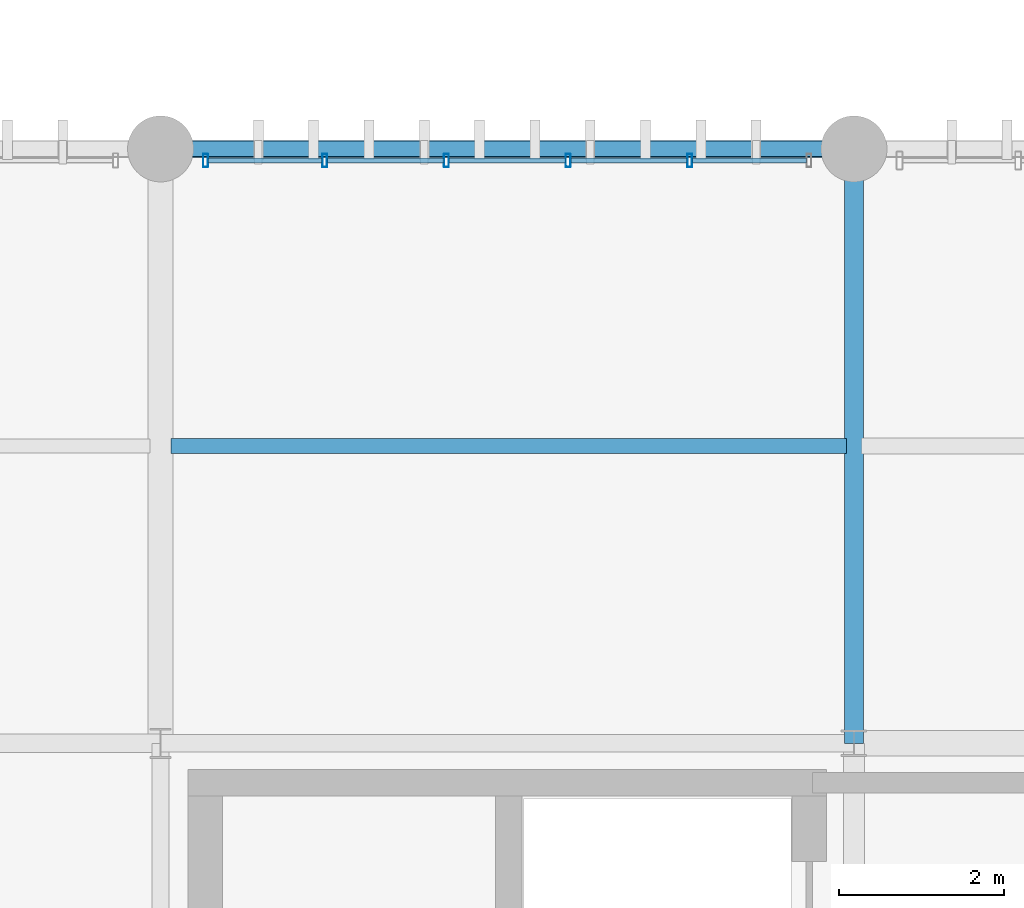
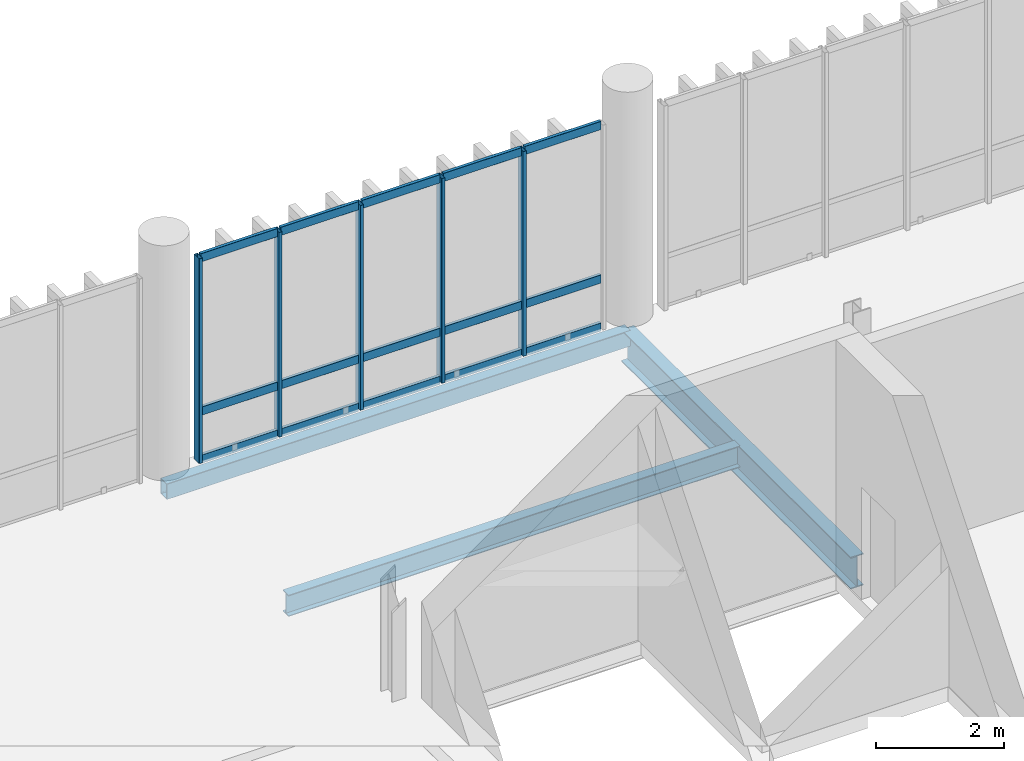
# One storey, part 24 of 68: 20 members, 3 beams, 1 element without a shape of its own.
"""IFC4 building model written with IfcOpenShell, lengths in metres."""

from ifc_helpers import new_model, si_unit, direction, frame, origin_with_axes, origin_2d_with_axis, place, context, subcontext, project, spatial, hollow_rectangle, i_section, extrude, material, material_profile, profile_set, type_object, element, aggregate, save


model = new_model("IFC4")

# Units and contexts
model_context = context("Model", 3, precision=1e-05, world=origin_with_axes(), true_north=direction((0.0, 1.0)))
body_context = subcontext(model_context, "Body", "Model", "MODEL_VIEW")
ifc_project = project(units=[si_unit("LENGTHUNIT", "METRE"), si_unit("AREAUNIT", "SQUARE_METRE"), si_unit("VOLUMEUNIT", "CUBIC_METRE"), si_unit("PLANEANGLEUNIT", "RADIAN"), si_unit("MASSUNIT", "GRAM", prefix="KILO"), si_unit("THERMODYNAMICTEMPERATUREUNIT", "KELVIN")], contexts=[model_context])

# Site, building, storey
site_placement = place(None, origin_with_axes())
site = spatial("IfcSite", under=ifc_project, at=site_placement, CompositionType="ELEMENT")
building_placement = place(site_placement, origin_with_axes())
building = spatial("IfcBuilding", under=site, at=building_placement, Name="Montbau Bow Law Courts", CompositionType="ELEMENT")
storey_placement = place(building_placement, frame((0.0, 0.0, 20.4), z_axis=(0.0, 0.0, 1.0), x_axis=(1.0, 0.0, 0.0)))
storey = spatial("IfcBuildingStorey", under=building, at=storey_placement, Name="L04", CompositionType="ELEMENT", Elevation=20.4)

# Beams
ifc_material_1 = material(Name="Steel CSA G40.21 Grade 350W (350 MPa)", Category="steel")
ifc_material_profile_1 = material_profile(ifc_material_1, i_section(OverallWidth=0.229, OverallDepth=0.612, WebThickness=0.0119, FlangeThickness=0.0196, at=origin_2d_with_axis()), Name="W610X125", Category="Main", Priority=0)
ifc_profile_set_1 = profile_set([ifc_material_profile_1], Name="Steel CSA G40.21 Grade 350W (350 MPa)")
beam_type_1 = type_object("IfcBeamType", Name="B-FLR-05", PredefinedType="BEAM", material=ifc_profile_set_1)
beam_1_placement = place(None, frame((63.6, 54.6, 19.814), z_axis=(0.0, 1.0, 0.0), x_axis=(-1.0, 0.0, 0.0)))
element("IfcBeam", 1, at=beam_1_placement, inside=storey, type_object=beam_type_1, Name="BM-L04-S0945:bm2_0948", PredefinedType="BEAM", context=body_context, shape_type="SweptSolid", body=[
    extrude(i_section(OverallWidth=0.229, OverallDepth=0.612, WebThickness=0.0119, FlangeThickness=0.0196, at=origin_2d_with_axis()), origin_with_axes(), (0.0, 0.0, 1.0), 7.2),
])
ifc_material_profile_2 = material_profile(ifc_material_1, i_section(OverallWidth=0.179, OverallDepth=0.41, WebThickness=0.0088, FlangeThickness=0.0144, at=origin_2d_with_axis()), Name="W410X67", Category="Main", Priority=0)
ifc_profile_set_2 = profile_set([ifc_material_profile_2], Name="Steel CSA G40.21 Grade 350W (350 MPa)")
beam_type_2 = type_object("IfcBeamType", Name="B-JST-02", PredefinedType="JOIST", material=ifc_profile_set_2)
beam_2_placement = place(None, frame((55.329, 58.2, 19.915), z_axis=(1.0, 0.0, 0.0), x_axis=(0.0, 1.0, 0.0)))
element("IfcBeam", 2, at=beam_2_placement, inside=storey, type_object=beam_type_2, Name="JST-L04-S0481:jst2_0481", PredefinedType="JOIST", context=body_context, shape_type="SweptSolid", body=[
    extrude(i_section(OverallWidth=0.179, OverallDepth=0.41, WebThickness=0.0088, FlangeThickness=0.0144, at=origin_2d_with_axis()), origin_with_axes(), (0.0, 0.0, 1.0), 8.181),
])
ifc_material_2 = material(Name="Steel CSA G40.21 Grade 350WT (350 MPa)", Category="steel")
ifc_material_profile_3 = material_profile(ifc_material_2, hollow_rectangle(XDim=0.203, YDim=0.305, WallThickness=0.0127, InnerFilletRadius=0.0254, OuterFilletRadius=0.0127, at=origin_2d_with_axis()), Name="HSS305X203X13", Category="Main", Priority=0)
ifc_profile_set_3 = profile_set([ifc_material_profile_3], Name="Steel CSA G40.21 Grade 350WT (350 MPa)")
beam_type_3 = type_object("IfcBeamType", Name="B-SPN-02", PredefinedType="SPANDREL", material=ifc_profile_set_3)
beam_3_placement = place(None, frame((55.2, 61.8, 19.968), z_axis=(1.0, 0.0, 0.0), x_axis=(0.0, 1.0, 0.0)))
element("IfcBeam", 3, at=beam_3_placement, inside=storey, type_object=beam_type_3, Name="SPN-L04-S0934:bm2_0937", PredefinedType="SPANDREL", context=body_context, shape_type="SweptSolid", body=[
    extrude(hollow_rectangle(XDim=0.203, YDim=0.305, WallThickness=0.0127, InnerFilletRadius=0.0254, OuterFilletRadius=0.0127, at=origin_2d_with_axis()), origin_with_axes(), (0.0, 0.0, 1.0), 8.4),
])

# Curtain wall, members
ifc_material_3 = material(Name="Thermally Broken Extruded Aluminium AA 6063-T6", Category="aluminium")
curtain_wall_type = type_object("IfcCurtainWallType", Name="CW-CRM-01", PredefinedType="NOTDEFINED", material=ifc_material_3)
curtain_wall_placement = place(None, frame((55.715, 61.66, 20.4), z_axis=(0.0, 0.0, 1.0), x_axis=(1.0, 0.0, 0.0)))
curtain_wall = element("IfcCurtainWall", 4, at=curtain_wall_placement, inside=storey, type_object=curtain_wall_type, Name="CW-L04-200:cw_0200", PredefinedType="NOTDEFINED")
ifc_material_profile_4 = material_profile(ifc_material_3, hollow_rectangle(XDim=0.06, YDim=0.16, WallThickness=0.004, InnerFilletRadius=0.008, OuterFilletRadius=0.004, at=origin_2d_with_axis()), Name="CWM-160X60", Category="Main", Priority=0)
ifc_profile_set_4 = profile_set([ifc_material_profile_4], Name="Thermally Broken Extruded Aluminium AA 6063-T6")
member_type_1 = type_object("IfcMemberType", Name="M-MUL-03", PredefinedType="MULLION", material=ifc_profile_set_4)
member_1_placement = place(None, frame((55.745, 61.66, 20.4), z_axis=(0.0, 0.0, 1.0), x_axis=(1.0, 0.0, 0.0)))
member_1 = element("IfcMember", 5, at=member_1_placement, type_object=member_type_1, Name="CW-L04-200-M01:cw_0200_M01", PredefinedType="MULLION", context=body_context, shape_type="SweptSolid", body=[
    extrude(hollow_rectangle(XDim=0.06, YDim=0.16, WallThickness=0.004, InnerFilletRadius=0.008, OuterFilletRadius=0.004, at=origin_2d_with_axis()), origin_with_axes(), (0.0, 0.0, 1.0), 3.92),
])
member_2_placement = place(None, frame((57.189, 61.66, 20.4), z_axis=(0.0, 0.0, 1.0), x_axis=(1.0, 0.0, 0.0)))
member_2 = element("IfcMember", 6, at=member_2_placement, type_object=member_type_1, Name="CW-L04-200-M02:cw_0200_M02", PredefinedType="MULLION", context=body_context, shape_type="SweptSolid", body=[
    extrude(hollow_rectangle(XDim=0.06, YDim=0.16, WallThickness=0.004, InnerFilletRadius=0.008, OuterFilletRadius=0.004, at=origin_2d_with_axis()), origin_with_axes(), (0.0, 0.0, 1.0), 3.92),
])
member_3_placement = place(None, frame((58.663, 61.66, 20.4), z_axis=(0.0, 0.0, 1.0), x_axis=(1.0, 0.0, 0.0)))
member_3 = element("IfcMember", 7, at=member_3_placement, type_object=member_type_1, Name="CW-L04-200-M03:cw_0200_M03", PredefinedType="MULLION", context=body_context, shape_type="SweptSolid", body=[
    extrude(hollow_rectangle(XDim=0.06, YDim=0.16, WallThickness=0.004, InnerFilletRadius=0.008, OuterFilletRadius=0.004, at=origin_2d_with_axis()), origin_with_axes(), (0.0, 0.0, 1.0), 3.92),
])
member_4_placement = place(None, frame((60.137, 61.66, 20.4), z_axis=(0.0, 0.0, 1.0), x_axis=(1.0, 0.0, 0.0)))
member_4 = element("IfcMember", 8, at=member_4_placement, type_object=member_type_1, Name="CW-L04-200-M04:cw_0200_M04", PredefinedType="MULLION", context=body_context, shape_type="SweptSolid", body=[
    extrude(hollow_rectangle(XDim=0.06, YDim=0.16, WallThickness=0.004, InnerFilletRadius=0.008, OuterFilletRadius=0.004, at=origin_2d_with_axis()), origin_with_axes(), (0.0, 0.0, 1.0), 3.92),
])
member_5_placement = place(None, frame((61.611, 61.66, 20.4), z_axis=(0.0, 0.0, 1.0), x_axis=(1.0, 0.0, 0.0)))
member_5 = element("IfcMember", 9, at=member_5_placement, type_object=member_type_1, Name="CW-L04-200-M05:cw_0200_M05", PredefinedType="MULLION", context=body_context, shape_type="SweptSolid", body=[
    extrude(hollow_rectangle(XDim=0.06, YDim=0.16, WallThickness=0.004, InnerFilletRadius=0.008, OuterFilletRadius=0.004, at=origin_2d_with_axis()), origin_with_axes(), (0.0, 0.0, 1.0), 3.92),
])
ifc_material_profile_5 = material_profile(ifc_material_3, hollow_rectangle(XDim=0.06, YDim=0.16, WallThickness=0.004, InnerFilletRadius=0.008, OuterFilletRadius=0.004, at=origin_2d_with_axis()), Name="CWT-160X60", Category="Main", Priority=0)
ifc_profile_set_5 = profile_set([ifc_material_profile_5], Name="Thermally Broken Extruded Aluminium AA 6063-T6")
member_type_2 = type_object("IfcMemberType", Name="M-TRN-01", PredefinedType="USERDEFINED", material=ifc_profile_set_5)
member_6_placement = place(None, frame((55.777, 61.66, 20.43), z_axis=(1.0, 0.0, 0.0), x_axis=(0.0, 1.0, 0.0)))
member_6 = element("IfcMember", 10, at=member_6_placement, type_object=member_type_2, Name="CW-L04-200-T01-1:cw_0200_T01_1", ObjectType="TRANSOM", PredefinedType="USERDEFINED", context=body_context, shape_type="SweptSolid", body=[
    extrude(hollow_rectangle(XDim=0.06, YDim=0.16, WallThickness=0.004, InnerFilletRadius=0.008, OuterFilletRadius=0.004, at=origin_2d_with_axis()), origin_with_axes(), (0.0, 0.0, 1.0), 1.38),
])
member_7_placement = place(None, frame((55.777, 61.66, 21.35), z_axis=(1.0, 0.0, 0.0), x_axis=(0.0, 1.0, 0.0)))
member_7 = element("IfcMember", 11, at=member_7_placement, type_object=member_type_2, Name="CW-L04-200-T01-2:cw_0200_T01_2", ObjectType="TRANSOM", PredefinedType="USERDEFINED", context=body_context, shape_type="SweptSolid", body=[
    extrude(hollow_rectangle(XDim=0.06, YDim=0.16, WallThickness=0.004, InnerFilletRadius=0.008, OuterFilletRadius=0.004, at=origin_2d_with_axis()), origin_with_axes(), (0.0, 0.0, 1.0), 1.38),
])
member_8_placement = place(None, frame((55.777, 61.66, 24.29), z_axis=(1.0, 0.0, 0.0), x_axis=(0.0, 1.0, 0.0)))
member_8 = element("IfcMember", 12, at=member_8_placement, type_object=member_type_2, Name="CW-L04-200-T01-3:cw_0200_T01_3", ObjectType="TRANSOM", PredefinedType="USERDEFINED", context=body_context, shape_type="SweptSolid", body=[
    extrude(hollow_rectangle(XDim=0.06, YDim=0.16, WallThickness=0.004, InnerFilletRadius=0.008, OuterFilletRadius=0.004, at=origin_2d_with_axis()), origin_with_axes(), (0.0, 0.0, 1.0), 1.38),
])
member_9_placement = place(None, frame((57.221, 61.66, 20.43), z_axis=(1.0, 0.0, 0.0), x_axis=(0.0, 1.0, 0.0)))
member_9 = element("IfcMember", 13, at=member_9_placement, type_object=member_type_2, Name="CW-L04-200-T02-1:cw_0200_T02_1", ObjectType="TRANSOM", PredefinedType="USERDEFINED", context=body_context, shape_type="SweptSolid", body=[
    extrude(hollow_rectangle(XDim=0.06, YDim=0.16, WallThickness=0.004, InnerFilletRadius=0.008, OuterFilletRadius=0.004, at=origin_2d_with_axis()), origin_with_axes(), (0.0, 0.0, 1.0), 1.41),
])
member_10_placement = place(None, frame((57.221, 61.66, 21.35), z_axis=(1.0, 0.0, 0.0), x_axis=(0.0, 1.0, 0.0)))
member_10 = element("IfcMember", 14, at=member_10_placement, type_object=member_type_2, Name="CW-L04-200-T02-2:cw_0200_T02_2", ObjectType="TRANSOM", PredefinedType="USERDEFINED", context=body_context, shape_type="SweptSolid", body=[
    extrude(hollow_rectangle(XDim=0.06, YDim=0.16, WallThickness=0.004, InnerFilletRadius=0.008, OuterFilletRadius=0.004, at=origin_2d_with_axis()), origin_with_axes(), (0.0, 0.0, 1.0), 1.41),
])
member_11_placement = place(None, frame((57.221, 61.66, 24.29), z_axis=(1.0, 0.0, 0.0), x_axis=(0.0, 1.0, 0.0)))
member_11 = element("IfcMember", 15, at=member_11_placement, type_object=member_type_2, Name="CW-L04-200-T02-3:cw_0200_T02_3", ObjectType="TRANSOM", PredefinedType="USERDEFINED", context=body_context, shape_type="SweptSolid", body=[
    extrude(hollow_rectangle(XDim=0.06, YDim=0.16, WallThickness=0.004, InnerFilletRadius=0.008, OuterFilletRadius=0.004, at=origin_2d_with_axis()), origin_with_axes(), (0.0, 0.0, 1.0), 1.41),
])
member_12_placement = place(None, frame((58.695, 61.66, 20.43), z_axis=(1.0, 0.0, 0.0), x_axis=(0.0, 1.0, 0.0)))
member_12 = element("IfcMember", 16, at=member_12_placement, type_object=member_type_2, Name="CW-L04-200-T03-1:cw_0200_T03_1", ObjectType="TRANSOM", PredefinedType="USERDEFINED", context=body_context, shape_type="SweptSolid", body=[
    extrude(hollow_rectangle(XDim=0.06, YDim=0.16, WallThickness=0.004, InnerFilletRadius=0.008, OuterFilletRadius=0.004, at=origin_2d_with_axis()), origin_with_axes(), (0.0, 0.0, 1.0), 1.41),
])
member_13_placement = place(None, frame((58.695, 61.66, 21.35), z_axis=(1.0, 0.0, 0.0), x_axis=(0.0, 1.0, 0.0)))
member_13 = element("IfcMember", 17, at=member_13_placement, type_object=member_type_2, Name="CW-L04-200-T03-2:cw_0200_T03_2", ObjectType="TRANSOM", PredefinedType="USERDEFINED", context=body_context, shape_type="SweptSolid", body=[
    extrude(hollow_rectangle(XDim=0.06, YDim=0.16, WallThickness=0.004, InnerFilletRadius=0.008, OuterFilletRadius=0.004, at=origin_2d_with_axis()), origin_with_axes(), (0.0, 0.0, 1.0), 1.41),
])
member_14_placement = place(None, frame((58.695, 61.66, 24.29), z_axis=(1.0, 0.0, 0.0), x_axis=(0.0, 1.0, 0.0)))
member_14 = element("IfcMember", 18, at=member_14_placement, type_object=member_type_2, Name="CW-L04-200-T03-3:cw_0200_T03_3", ObjectType="TRANSOM", PredefinedType="USERDEFINED", context=body_context, shape_type="SweptSolid", body=[
    extrude(hollow_rectangle(XDim=0.06, YDim=0.16, WallThickness=0.004, InnerFilletRadius=0.008, OuterFilletRadius=0.004, at=origin_2d_with_axis()), origin_with_axes(), (0.0, 0.0, 1.0), 1.41),
])
member_15_placement = place(None, frame((60.169, 61.66, 20.43), z_axis=(1.0, 0.0, 0.0), x_axis=(0.0, 1.0, 0.0)))
member_15 = element("IfcMember", 19, at=member_15_placement, type_object=member_type_2, Name="CW-L04-200-T04-1:cw_0200_T04_1", ObjectType="TRANSOM", PredefinedType="USERDEFINED", context=body_context, shape_type="SweptSolid", body=[
    extrude(hollow_rectangle(XDim=0.06, YDim=0.16, WallThickness=0.004, InnerFilletRadius=0.008, OuterFilletRadius=0.004, at=origin_2d_with_axis()), origin_with_axes(), (0.0, 0.0, 1.0), 1.41),
])
member_16_placement = place(None, frame((60.169, 61.66, 21.35), z_axis=(1.0, 0.0, 0.0), x_axis=(0.0, 1.0, 0.0)))
member_16 = element("IfcMember", 20, at=member_16_placement, type_object=member_type_2, Name="CW-L04-200-T04-2:cw_0200_T04_2", ObjectType="TRANSOM", PredefinedType="USERDEFINED", context=body_context, shape_type="SweptSolid", body=[
    extrude(hollow_rectangle(XDim=0.06, YDim=0.16, WallThickness=0.004, InnerFilletRadius=0.008, OuterFilletRadius=0.004, at=origin_2d_with_axis()), origin_with_axes(), (0.0, 0.0, 1.0), 1.41),
])
member_17_placement = place(None, frame((60.169, 61.66, 24.29), z_axis=(1.0, 0.0, 0.0), x_axis=(0.0, 1.0, 0.0)))
member_17 = element("IfcMember", 21, at=member_17_placement, type_object=member_type_2, Name="CW-L04-200-T04-3:cw_0200_T04_3", ObjectType="TRANSOM", PredefinedType="USERDEFINED", context=body_context, shape_type="SweptSolid", body=[
    extrude(hollow_rectangle(XDim=0.06, YDim=0.16, WallThickness=0.004, InnerFilletRadius=0.008, OuterFilletRadius=0.004, at=origin_2d_with_axis()), origin_with_axes(), (0.0, 0.0, 1.0), 1.41),
])
member_18_placement = place(None, frame((61.643, 61.66, 20.43), z_axis=(1.0, 0.0, 0.0), x_axis=(0.0, 1.0, 0.0)))
member_18 = element("IfcMember", 22, at=member_18_placement, type_object=member_type_2, Name="CW-L04-200-T05-1:cw_0200_T05_1", ObjectType="TRANSOM", PredefinedType="USERDEFINED", context=body_context, shape_type="SweptSolid", body=[
    extrude(hollow_rectangle(XDim=0.06, YDim=0.16, WallThickness=0.004, InnerFilletRadius=0.008, OuterFilletRadius=0.004, at=origin_2d_with_axis()), origin_with_axes(), (0.0, 0.0, 1.0), 1.38),
])
member_19_placement = place(None, frame((61.643, 61.66, 21.35), z_axis=(1.0, 0.0, 0.0), x_axis=(0.0, 1.0, 0.0)))
member_19 = element("IfcMember", 23, at=member_19_placement, type_object=member_type_2, Name="CW-L04-200-T05-2:cw_0200_T05_2", ObjectType="TRANSOM", PredefinedType="USERDEFINED", context=body_context, shape_type="SweptSolid", body=[
    extrude(hollow_rectangle(XDim=0.06, YDim=0.16, WallThickness=0.004, InnerFilletRadius=0.008, OuterFilletRadius=0.004, at=origin_2d_with_axis()), origin_with_axes(), (0.0, 0.0, 1.0), 1.38),
])
member_20_placement = place(None, frame((61.643, 61.66, 24.29), z_axis=(1.0, 0.0, 0.0), x_axis=(0.0, 1.0, 0.0)))
member_20 = element("IfcMember", 24, at=member_20_placement, type_object=member_type_2, Name="CW-L04-200-T05-3:cw_0200_T05_3", ObjectType="TRANSOM", PredefinedType="USERDEFINED", context=body_context, shape_type="SweptSolid", body=[
    extrude(hollow_rectangle(XDim=0.06, YDim=0.16, WallThickness=0.004, InnerFilletRadius=0.008, OuterFilletRadius=0.004, at=origin_2d_with_axis()), origin_with_axes(), (0.0, 0.0, 1.0), 1.38),
])
aggregate(curtain_wall, [member_1, member_2, member_3, member_4, member_5, member_6, member_7, member_8, member_9, member_10, member_11, member_12, member_13, member_14, member_15, member_16, member_17, member_18, member_19, member_20])

save(model, "model.ifc")
